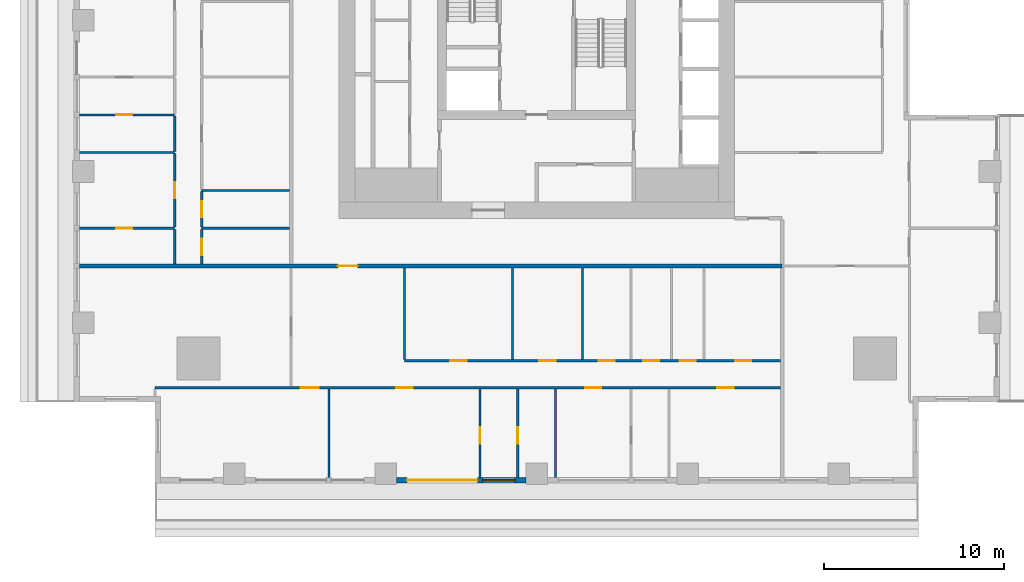
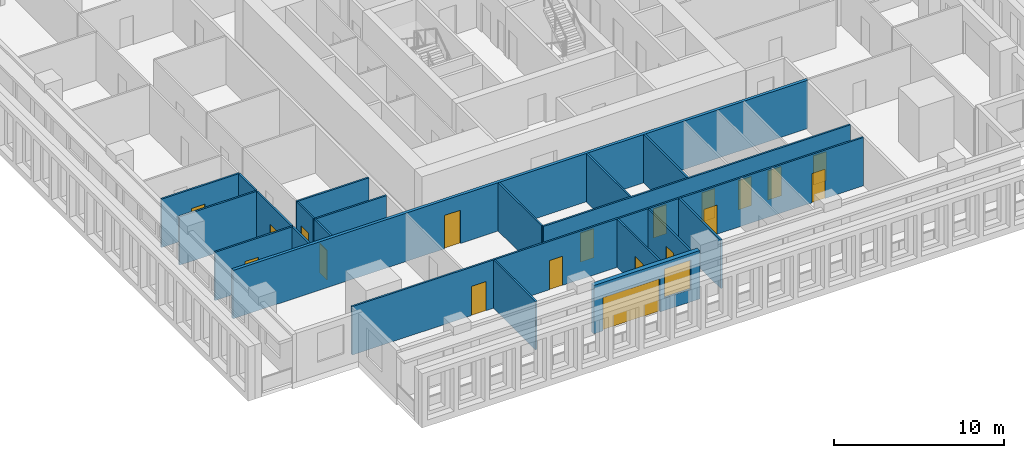
# One storey, part 2 of 15: 21 walls, 19 doors, 1 window, 20 openings.
"""IFC4 building model written with IfcOpenShell, lengths in metres."""

from ifc_helpers import new_model, si_unit, direction, frame, frame_2d, origin, place, context, subcontext, project, spatial, rectangle, extrude, material, layer, layer_set, type_object, element, fill, save


model = new_model("IFC4")

# Units and contexts
model_context = context("Model", 3, precision=1e-05, world=origin(), true_north=direction((0.0, 1.0)))
body_context = subcontext(model_context, "Body", "Model", "MODEL_VIEW")
ifc_project = project(units=[si_unit("LENGTHUNIT", "METRE"), si_unit("AREAUNIT", "SQUARE_METRE"), si_unit("VOLUMEUNIT", "CUBIC_METRE"), si_unit("PLANEANGLEUNIT", "RADIAN"), si_unit("MASSUNIT", "GRAM", prefix="KILO")], contexts=[model_context])

# Site, building, storey
site_placement = place(None, origin())
site = spatial("IfcSite", under=ifc_project, at=site_placement, CompositionType="ELEMENT")
building_placement = place(site_placement, origin())
building = spatial("IfcBuilding", under=site, at=building_placement, Name="Khepri Terraces", CompositionType="ELEMENT")
storey_placement = place(building_placement, frame((0.0, 0.0, 200.10009765625)))
storey = spatial("IfcBuildingStorey", under=building, at=storey_placement, Name="L47", CompositionType="ELEMENT", Elevation=200.10009765625)

# Wall, opening, door
ifc_material_1 = material(Name="Fire-rated gypsum plasterboard partition, mineral wool")
ifc_layer_1 = layer(ifc_material_1, 0.199951171875, Name="Fire-rated gypsum plasterboard partition, mineral wool")
ifc_layer_set_1 = layer_set([ifc_layer_1], Name="Fire-rated gypsum plasterboard partition, mineral wool")
wall_type_1 = type_object("IfcWallType", Name="WL-CORR-200", PredefinedType="PARTITIONING", material=ifc_layer_set_1)
wall_1_placement = place(storey_placement, frame((-25.419921875, -13.64990234375, 0.0), z_axis=(0.0, 0.0, 1.0), x_axis=(1.0, 0.0, 0.0)))
wall_1 = element("IfcWall", 1, at=wall_1_placement, inside=storey, type_object=wall_type_1, Name="Partition P-020 L47", PredefinedType="PARTITIONING", context=body_context, shape_type="SweptSolid", body=[
    extrude(rectangle(XDim=39.06982421875, YDim=0.199951171875, at=frame_2d((19.534912109375, 0.0))), origin(), (0.0, 0.0, 1.0), 3.47998046875),
])
opening_1_placement = place(wall_1_placement, frame((14.3701171875, 0.0, 0.0)))
opening_1 = element("IfcOpeningElement", 2, at=opening_1_placement, cuts=wall_1, Name="Opening D1", PredefinedType="OPENING", context=body_context, shape_type="SweptSolid", body=[
    extrude(rectangle(XDim=1.10009765625, YDim=2.39990234375, at=frame_2d((0.550048828125, 1.199951171875))), frame((0.0, 0.10986328125, 0.0), z_axis=(0.0, -1.0, 0.0), x_axis=(1.0, 0.0, 0.0)), (0.0, 0.0, 1.0), 0.219970703125),
])
ifc_material_2 = material(Name="Solid-core timber door leaf, flat entrance door", Category="wood")
door_type_1 = type_object("IfcDoorType", Name="DR-ENT-1100", OperationType="NOTDEFINED", PredefinedType="DOOR", material=ifc_material_2)
door_1_placement = place(opening_1_placement, frame((1.10009765625, 0.0, 0.0), z_axis=(0.0, 0.0, 1.0), x_axis=(-1.0, 0.0, 0.0)))
door_1 = element("IfcDoor", 3, at=door_1_placement, inside=storey, type_object=door_type_1, Name="Flat A1 entrance door", OperationType="SINGLE_SWING_RIGHT", OverallHeight=2.39990234375, OverallWidth=1.10009765625, PredefinedType="DOOR", context=body_context, shape_type="SweptSolid", body=[
    extrude(rectangle(XDim=1.10009765625, YDim=2.39990234375, at=frame_2d((0.550048828125, 1.199951171875))), frame((0.0, 0.02490234375, 0.0), z_axis=(0.0, -1.0, 0.0), x_axis=(1.0, 0.0, 0.0)), (0.0, 0.0, 1.0), 0.050048828125),
])
fill(opening_1, door_1)

# Wall, openings, door, window
ifc_material_3 = material(Name="Precast concrete C50/60 warm stone", Category="masonry")
ifc_layer_2 = layer(ifc_material_3, 0.300048828125, Name="Precast concrete C50/60 warm stone", Category="masonry")
ifc_layer_set_2 = layer_set([ifc_layer_2], Name="Precast concrete C50/60 warm stone")
wall_type_2 = type_object("IfcWallType", Name="WL-EXT-PRECAST-300", PredefinedType="STANDARD", material=ifc_layer_set_2)
wall_2_placement = place(storey_placement, frame((-7.800048828125, -25.570068359375, 0.0), z_axis=(0.0, 0.0, 1.0), x_axis=(1.0, 0.0, 0.0)))
wall_2 = element("IfcWall", 4, at=wall_2_placement, inside=storey, type_object=wall_type_2, Name="External wall L47 S", PredefinedType="STANDARD", context=body_context, shape_type="SweptSolid", body=[
    extrude(rectangle(XDim=7.199951171875, YDim=0.300048828125, at=frame_2d((3.60009765625, 0.0))), origin(), (0.0, 0.0, 1.0), 3.47998046875),
])
opening_2_placement = place(wall_2_placement, frame((0.60009765625, 0.0, 0.0)))
opening_2 = element("IfcOpeningElement", 5, at=opening_2_placement, cuts=wall_2, Name="Opening ED-L47-18", PredefinedType="OPENING", context=body_context, shape_type="SweptSolid", body=[
    extrude(rectangle(XDim=3.89990234375, YDim=2.39990234375, at=frame_2d((1.949951171875, 1.199951171875))), frame((0.0, 0.16015625, 0.0), z_axis=(0.0, -1.0, 0.0), x_axis=(1.0, 0.0, 0.0)), (0.0, 0.0, 1.0), 0.320068359375),
])
opening_3_placement = place(wall_2_placement, frame((4.800048828125, 0.0, 0.89990234375)))
opening_3 = element("IfcOpeningElement", 6, at=opening_3_placement, cuts=wall_2, Name="Opening W1", PredefinedType="OPENING", context=body_context, shape_type="SweptSolid", body=[
    extrude(rectangle(XDim=1.800048828125, YDim=2.10009765625, at=frame_2d((0.89990234375, 1.050048828125))), frame((0.0, 0.16015625, 0.0), z_axis=(0.0, -1.0, 0.0), x_axis=(1.0, 0.0, 0.0)), (0.0, 0.0, 1.0), 0.320068359375),
])
ifc_material_4 = material(Name="Anodised aluminium bronze glazed door", Category="aluminium")
door_type_2 = type_object("IfcDoorType", Name="DR-BAL-SLIDE-3900x2400", OperationType="NOTDEFINED", PredefinedType="DOOR", material=ifc_material_4)
door_2_placement = place(opening_2_placement, origin())
door_2 = element("IfcDoor", 7, at=door_2_placement, inside=storey, type_object=door_type_2, Name="Balcony door L47 S", OperationType="SLIDING_TO_LEFT", OverallHeight=2.39990234375, OverallWidth=3.89990234375, PredefinedType="DOOR", context=body_context, shape_type="SweptSolid", body=[
    extrude(rectangle(XDim=3.89990234375, YDim=2.39990234375, at=frame_2d((1.949951171875, 1.199951171875))), frame((0.0, 0.02490234375, 0.0), z_axis=(0.0, -1.0, 0.0), x_axis=(1.0, 0.0, 0.0)), (0.0, 0.0, 1.0), 0.050048828125),
])
fill(opening_2, door_2)
ifc_material_5 = material(Name="Clear glass", Category="glass")
window_type = type_object("IfcWindowType", Name="WIN-RES-1800x2100", PartitioningType="SINGLE_PANEL", PredefinedType="WINDOW", material=ifc_material_5)
window_placement = place(opening_3_placement, origin())
window = element("IfcWindow", 8, at=window_placement, inside=storey, type_object=window_type, Name="Window L47 S", OverallHeight=2.10009765625, OverallWidth=1.800048828125, PartitioningType="SINGLE_PANEL", PredefinedType="WINDOW", context=body_context, shape_type="SweptSolid", body=[
    extrude(rectangle(XDim=1.800048828125, YDim=2.10009765625, at=frame_2d((0.89990234375, 1.050048828125))), frame((0.0, 0.030029296875, 0.0), z_axis=(0.0, -1.0, 0.0), x_axis=(1.0, 0.0, 0.0)), (0.0, 0.0, 1.0), 0.06005859375),
])
fill(opening_3, window)

# Wall
ifc_material_6 = material(Name="Gypsum plasterboard partition")
ifc_layer_3 = layer(ifc_material_6, 0.1201171875, Name="Gypsum plasterboard partition")
ifc_layer_set_3 = layer_set([ifc_layer_3], Name="Gypsum plasterboard partition")
wall_type_3 = type_object("IfcWallType", Name="WL-PART-120", PredefinedType="PARTITIONING", material=ifc_layer_set_3)
wall_3_placement = place(storey_placement, frame((-11.550048828125, -25.419921875, 0.0), z_axis=(0.0, 0.0, 1.0), x_axis=(0.0, 1.0, 0.0)))
element("IfcWall", 9, at=wall_3_placement, inside=storey, type_object=wall_type_3, Name="Partition P-001 L47", PredefinedType="PARTITIONING", context=body_context, shape_type="SweptSolid", body=[
    extrude(rectangle(XDim=4.93994140625, YDim=0.1201171875, at=frame_2d((2.469970703125, 0.0))), origin(), (0.0, 0.0, 1.0), 3.47998046875),
])

# Wall, opening, door
wall_4_placement = place(storey_placement, frame((-3.14990234375, -25.419921875, 0.0), z_axis=(0.0, 0.0, 1.0), x_axis=(0.0, 1.0, 0.0)))
wall_4 = element("IfcWall", 10, at=wall_4_placement, inside=storey, type_object=wall_type_3, Name="Partition P-002 L47", PredefinedType="PARTITIONING", context=body_context, shape_type="SweptSolid", body=[
    extrude(rectangle(XDim=4.93994140625, YDim=0.1201171875, at=frame_2d((2.469970703125, 0.0))), origin(), (0.0, 0.0, 1.0), 3.47998046875),
])
opening_4_placement = place(wall_4_placement, frame((1.89990234375, 0.0, 0.0)))
opening_4 = element("IfcOpeningElement", 11, at=opening_4_placement, cuts=wall_4, Name="Opening D3", PredefinedType="OPENING", context=body_context, shape_type="SweptSolid", body=[
    extrude(rectangle(XDim=0.89990234375, YDim=2.10009765625, at=frame_2d((0.449951171875, 1.050048828125))), frame((0.0, 0.070068359375, 0.0), z_axis=(0.0, -1.0, 0.0), x_axis=(1.0, 0.0, 0.0)), (0.0, 0.0, 1.0), 0.14013671875),
])
ifc_material_7 = material(Name="Timber door leaf", Category="wood")
door_type_3 = type_object("IfcDoorType", Name="DR-INT-900", OperationType="NOTDEFINED", PredefinedType="DOOR", material=ifc_material_7)
door_3_placement = place(opening_4_placement, frame((0.89990234375, 0.0, 0.0), z_axis=(0.0, 0.0, 1.0), x_axis=(-1.0, 0.0, 0.0)))
door_3 = element("IfcDoor", 12, at=door_3_placement, inside=storey, type_object=door_type_3, Name="Door Dressing Room", OperationType="SINGLE_SWING_RIGHT", OverallHeight=2.10009765625, OverallWidth=0.89990234375, PredefinedType="DOOR", context=body_context, shape_type="SweptSolid", body=[
    extrude(rectangle(XDim=0.89990234375, YDim=2.10009765625, at=frame_2d((0.449951171875, 1.050048828125))), frame((0.0, 0.02490234375, 0.0), z_axis=(0.0, -1.0, 0.0), x_axis=(1.0, 0.0, 0.0)), (0.0, 0.0, 1.0), 0.050048828125),
])
fill(opening_4, door_3)

wall_5_placement = place(storey_placement, frame((-1.050048828125, -25.419921875, 0.0), z_axis=(0.0, 0.0, 1.0), x_axis=(0.0, 1.0, 0.0)))
wall_5 = element("IfcWall", 13, at=wall_5_placement, inside=storey, type_object=wall_type_3, Name="Partition P-003 L47", PredefinedType="PARTITIONING", context=body_context, shape_type="SweptSolid", body=[
    extrude(rectangle(XDim=4.93994140625, YDim=0.1201171875, at=frame_2d((2.469970703125, 0.0))), origin(), (0.0, 0.0, 1.0), 3.47998046875),
])
opening_5_placement = place(wall_5_placement, frame((1.89990234375, 0.0, 0.0)))
opening_5 = element("IfcOpeningElement", 14, at=opening_5_placement, cuts=wall_5, Name="Opening D4", PredefinedType="OPENING", context=body_context, shape_type="SweptSolid", body=[
    extrude(rectangle(XDim=0.89990234375, YDim=2.10009765625, at=frame_2d((0.449951171875, 1.050048828125))), frame((0.0, 0.070068359375, 0.0), z_axis=(0.0, -1.0, 0.0), x_axis=(1.0, 0.0, 0.0)), (0.0, 0.0, 1.0), 0.14013671875),
])
ifc_material_8 = material(Name="Timber door leaf, moisture resistant", Category="wood")
door_type_4 = type_object("IfcDoorType", Name="DR-WET-900", OperationType="NOTDEFINED", PredefinedType="DOOR", material=ifc_material_8)
door_4_placement = place(opening_5_placement, frame((0.89990234375, 0.0, 0.0), z_axis=(0.0, 0.0, 1.0), x_axis=(-1.0, 0.0, 0.0)))
door_4 = element("IfcDoor", 15, at=door_4_placement, inside=storey, type_object=door_type_4, Name="Door Bathroom", OperationType="SINGLE_SWING_RIGHT", OverallHeight=2.10009765625, OverallWidth=0.89990234375, PredefinedType="DOOR", context=body_context, shape_type="SweptSolid", body=[
    extrude(rectangle(XDim=0.89990234375, YDim=2.10009765625, at=frame_2d((0.449951171875, 1.050048828125))), frame((0.0, 0.02490234375, 0.0), z_axis=(0.0, -1.0, 0.0), x_axis=(1.0, 0.0, 0.0)), (0.0, 0.0, 1.0), 0.050048828125),
])
fill(opening_5, door_4)

# Wall
wall_6_placement = place(storey_placement, frame((1.050048828125, -25.419921875, 0.0), z_axis=(0.0, 0.0, 1.0), x_axis=(0.0, 1.0, 0.0)))
element("IfcWall", 16, at=wall_6_placement, inside=storey, type_object=wall_type_3, Name="Partition P-004 L47", PredefinedType="PARTITIONING", context=body_context, shape_type="SweptSolid", body=[
    extrude(rectangle(XDim=4.93994140625, YDim=0.1201171875, at=frame_2d((2.469970703125, 0.0))), origin(), (0.0, 0.0, 1.0), 3.47998046875),
])

# Wall, openings, doors
wall_7_placement = place(storey_placement, frame((-21.218994140625, -20.419921875, 0.0), z_axis=(0.0, 0.0, 1.0), x_axis=(1.0, 0.0, 0.0)))
wall_7 = element("IfcWall", 17, at=wall_7_placement, inside=storey, type_object=wall_type_3, Name="Partition P-011 L47", PredefinedType="PARTITIONING", context=body_context, shape_type="SweptSolid", body=[
    extrude(rectangle(XDim=34.76904296875, YDim=0.1201171875, at=frame_2d((17.384521484375, 0.0))), origin(), (0.0, 0.0, 1.0), 3.47998046875),
])
opening_6_placement = place(wall_7_placement, frame((8.118896484375, 0.0, 0.0)))
opening_6 = element("IfcOpeningElement", 18, at=opening_6_placement, cuts=wall_7, Name="Opening D2", PredefinedType="OPENING", context=body_context, shape_type="SweptSolid", body=[
    extrude(rectangle(XDim=1.0, YDim=2.10009765625, at=frame_2d((0.5, 1.050048828125))), frame((0.0, 0.070068359375, 0.0), z_axis=(0.0, -1.0, 0.0), x_axis=(1.0, 0.0, 0.0)), (0.0, 0.0, 1.0), 0.14013671875),
])
opening_7_placement = place(wall_7_placement, frame((13.4189453125, 0.0, 0.0)))
opening_7 = element("IfcOpeningElement", 19, at=opening_7_placement, cuts=wall_7, Name="Opening D3", PredefinedType="OPENING", context=body_context, shape_type="SweptSolid", body=[
    extrude(rectangle(XDim=0.89990234375, YDim=2.10009765625, at=frame_2d((0.449951171875, 1.050048828125))), frame((0.0, 0.070068359375, 0.0), z_axis=(0.0, -1.0, 0.0), x_axis=(1.0, 0.0, 0.0)), (0.0, 0.0, 1.0), 0.14013671875),
])
opening_8_placement = place(wall_7_placement, frame((23.9189453125, 0.0, 0.0)))
opening_8 = element("IfcOpeningElement", 20, at=opening_8_placement, cuts=wall_7, Name="Opening D3", PredefinedType="OPENING", context=body_context, shape_type="SweptSolid", body=[
    extrude(rectangle(XDim=0.89990234375, YDim=2.10009765625, at=frame_2d((0.449951171875, 1.050048828125))), frame((0.0, 0.070068359375, 0.0), z_axis=(0.0, -1.0, 0.0), x_axis=(1.0, 0.0, 0.0)), (0.0, 0.0, 1.0), 0.14013671875),
])
opening_9_placement = place(wall_7_placement, frame((31.26904296875, 0.0, 0.0)))
opening_9 = element("IfcOpeningElement", 21, at=opening_9_placement, cuts=wall_7, Name="Opening D3", PredefinedType="OPENING", context=body_context, shape_type="SweptSolid", body=[
    extrude(rectangle(XDim=0.89990234375, YDim=2.10009765625, at=frame_2d((0.449951171875, 1.050048828125))), frame((0.0, 0.070068359375, 0.0), z_axis=(0.0, -1.0, 0.0), x_axis=(1.0, 0.0, 0.0)), (0.0, 0.0, 1.0), 0.14013671875),
])
ifc_material_9 = material(Name="Timber door leaf, living room door", Category="wood")
door_type_5 = type_object("IfcDoorType", Name="DR-INT-1000", OperationType="NOTDEFINED", PredefinedType="DOOR", material=ifc_material_9)
door_5_placement = place(opening_6_placement, frame((1.0, 0.0, 0.0), z_axis=(0.0, 0.0, 1.0), x_axis=(-1.0, 0.0, 0.0)))
door_5 = element("IfcDoor", 22, at=door_5_placement, inside=storey, type_object=door_type_5, Name="Door Living Room", OperationType="SINGLE_SWING_RIGHT", OverallHeight=2.10009765625, OverallWidth=1.0, PredefinedType="DOOR", context=body_context, shape_type="SweptSolid", body=[
    extrude(rectangle(XDim=1.0, YDim=2.10009765625, at=frame_2d((0.5, 1.050048828125))), frame((0.0, 0.02490234375, 0.0), z_axis=(0.0, -1.0, 0.0), x_axis=(1.0, 0.0, 0.0)), (0.0, 0.0, 1.0), 0.050048828125),
])
fill(opening_6, door_5)
door_6_placement = place(opening_7_placement, frame((0.89990234375, 0.0, 0.0), z_axis=(0.0, 0.0, 1.0), x_axis=(-1.0, 0.0, 0.0)))
door_6 = element("IfcDoor", 23, at=door_6_placement, inside=storey, type_object=door_type_3, Name="Door Master Bedroom", OperationType="SINGLE_SWING_RIGHT", OverallHeight=2.10009765625, OverallWidth=0.89990234375, PredefinedType="DOOR", context=body_context, shape_type="SweptSolid", body=[
    extrude(rectangle(XDim=0.89990234375, YDim=2.10009765625, at=frame_2d((0.449951171875, 1.050048828125))), frame((0.0, 0.02490234375, 0.0), z_axis=(0.0, -1.0, 0.0), x_axis=(1.0, 0.0, 0.0)), (0.0, 0.0, 1.0), 0.050048828125),
])
fill(opening_7, door_6)
door_7_placement = place(opening_8_placement, frame((0.89990234375, 0.0, 0.0), z_axis=(0.0, 0.0, 1.0), x_axis=(-1.0, 0.0, 0.0)))
door_7 = element("IfcDoor", 24, at=door_7_placement, inside=storey, type_object=door_type_3, Name="Door Bedroom", OperationType="SINGLE_SWING_LEFT", OverallHeight=2.10009765625, OverallWidth=0.89990234375, PredefinedType="DOOR", context=body_context, shape_type="SweptSolid", body=[
    extrude(rectangle(XDim=0.89990234375, YDim=2.10009765625, at=frame_2d((0.449951171875, 1.050048828125))), frame((0.0, 0.02490234375, 0.0), z_axis=(0.0, -1.0, 0.0), x_axis=(1.0, 0.0, 0.0)), (0.0, 0.0, 1.0), 0.050048828125),
])
fill(opening_8, door_7)
door_8_placement = place(opening_9_placement, frame((0.89990234375, 0.0, 0.0), z_axis=(0.0, 0.0, 1.0), x_axis=(-1.0, 0.0, 0.0)))
door_8 = element("IfcDoor", 25, at=door_8_placement, inside=storey, type_object=door_type_3, Name="Door Home Gym", OperationType="SINGLE_SWING_LEFT", OverallHeight=2.10009765625, OverallWidth=0.89990234375, PredefinedType="DOOR", context=body_context, shape_type="SweptSolid", body=[
    extrude(rectangle(XDim=0.89990234375, YDim=2.10009765625, at=frame_2d((0.449951171875, 1.050048828125))), frame((0.0, 0.02490234375, 0.0), z_axis=(0.0, -1.0, 0.0), x_axis=(1.0, 0.0, 0.0)), (0.0, 0.0, 1.0), 0.050048828125),
])
fill(opening_9, door_8)

wall_8_placement = place(storey_placement, frame((-7.35009765625, -18.919921875, 0.0), z_axis=(0.0, 0.0, 1.0), x_axis=(1.0, 0.0, 0.0)))
wall_8 = element("IfcWall", 26, at=wall_8_placement, inside=storey, type_object=wall_type_3, Name="Partition P-013 L47", PredefinedType="PARTITIONING", context=body_context, shape_type="SweptSolid", body=[
    extrude(rectangle(XDim=20.900146484375, YDim=0.1201171875, at=frame_2d((10.4501953125, 0.0))), origin(), (0.0, 0.0, 1.0), 3.47998046875),
])
opening_10_placement = place(wall_8_placement, frame((2.550048828125, 0.0, 0.0)))
opening_10 = element("IfcOpeningElement", 27, at=opening_10_placement, cuts=wall_8, Name="Opening D3", PredefinedType="OPENING", context=body_context, shape_type="SweptSolid", body=[
    extrude(rectangle(XDim=0.89990234375, YDim=2.10009765625, at=frame_2d((0.449951171875, 1.050048828125))), frame((0.0, 0.070068359375, 0.0), z_axis=(0.0, -1.0, 0.0), x_axis=(1.0, 0.0, 0.0)), (0.0, 0.0, 1.0), 0.14013671875),
])
opening_11_placement = place(wall_8_placement, frame((7.5, 0.0, 0.0)))
opening_11 = element("IfcOpeningElement", 28, at=opening_11_placement, cuts=wall_8, Name="Opening D3", PredefinedType="OPENING", context=body_context, shape_type="SweptSolid", body=[
    extrude(rectangle(XDim=0.89990234375, YDim=2.10009765625, at=frame_2d((0.449951171875, 1.050048828125))), frame((0.0, 0.070068359375, 0.0), z_axis=(0.0, -1.0, 0.0), x_axis=(1.0, 0.0, 0.0)), (0.0, 0.0, 1.0), 0.14013671875),
])
opening_12_placement = place(wall_8_placement, frame((10.800048828125, 0.0, 0.0)))
opening_12 = element("IfcOpeningElement", 29, at=opening_12_placement, cuts=wall_8, Name="Opening D3", PredefinedType="OPENING", context=body_context, shape_type="SweptSolid", body=[
    extrude(rectangle(XDim=0.89990234375, YDim=2.10009765625, at=frame_2d((0.449951171875, 1.050048828125))), frame((0.0, 0.070068359375, 0.0), z_axis=(0.0, -1.0, 0.0), x_axis=(1.0, 0.0, 0.0)), (0.0, 0.0, 1.0), 0.14013671875),
])
opening_13_placement = place(wall_8_placement, frame((13.27490234375, 0.0, 0.0)))
opening_13 = element("IfcOpeningElement", 30, at=opening_13_placement, cuts=wall_8, Name="Opening D4", PredefinedType="OPENING", context=body_context, shape_type="SweptSolid", body=[
    extrude(rectangle(XDim=0.89990234375, YDim=2.10009765625, at=frame_2d((0.449951171875, 1.050048828125))), frame((0.0, 0.070068359375, 0.0), z_axis=(0.0, -1.0, 0.0), x_axis=(1.0, 0.0, 0.0)), (0.0, 0.0, 1.0), 0.14013671875),
])
opening_14_placement = place(wall_8_placement, frame((15.300048828125, 0.0, 0.0)))
opening_14 = element("IfcOpeningElement", 31, at=opening_14_placement, cuts=wall_8, Name="Opening D4", PredefinedType="OPENING", context=body_context, shape_type="SweptSolid", body=[
    extrude(rectangle(XDim=0.89990234375, YDim=2.10009765625, at=frame_2d((0.449951171875, 1.050048828125))), frame((0.0, 0.070068359375, 0.0), z_axis=(0.0, -1.0, 0.0), x_axis=(1.0, 0.0, 0.0)), (0.0, 0.0, 1.0), 0.14013671875),
])
opening_15_placement = place(wall_8_placement, frame((18.375, 0.0, 0.0)))
opening_15 = element("IfcOpeningElement", 32, at=opening_15_placement, cuts=wall_8, Name="Opening D3", PredefinedType="OPENING", context=body_context, shape_type="SweptSolid", body=[
    extrude(rectangle(XDim=0.89990234375, YDim=2.10009765625, at=frame_2d((0.449951171875, 1.050048828125))), frame((0.0, 0.070068359375, 0.0), z_axis=(0.0, -1.0, 0.0), x_axis=(1.0, 0.0, 0.0)), (0.0, 0.0, 1.0), 0.14013671875),
])
door_9_placement = place(opening_10_placement, origin())
door_9 = element("IfcDoor", 33, at=door_9_placement, inside=storey, type_object=door_type_3, Name="Door Kitchen", OperationType="SINGLE_SWING_LEFT", OverallHeight=2.10009765625, OverallWidth=0.89990234375, PredefinedType="DOOR", context=body_context, shape_type="SweptSolid", body=[
    extrude(rectangle(XDim=0.89990234375, YDim=2.10009765625, at=frame_2d((0.449951171875, 1.050048828125))), frame((0.0, 0.02490234375, 0.0), z_axis=(0.0, -1.0, 0.0), x_axis=(1.0, 0.0, 0.0)), (0.0, 0.0, 1.0), 0.050048828125),
])
fill(opening_10, door_9)
door_10_placement = place(opening_11_placement, origin())
door_10 = element("IfcDoor", 34, at=door_10_placement, inside=storey, type_object=door_type_3, Name="Door Service Store", OperationType="SINGLE_SWING_LEFT", OverallHeight=2.10009765625, OverallWidth=0.89990234375, PredefinedType="DOOR", context=body_context, shape_type="SweptSolid", body=[
    extrude(rectangle(XDim=0.89990234375, YDim=2.10009765625, at=frame_2d((0.449951171875, 1.050048828125))), frame((0.0, 0.02490234375, 0.0), z_axis=(0.0, -1.0, 0.0), x_axis=(1.0, 0.0, 0.0)), (0.0, 0.0, 1.0), 0.050048828125),
])
fill(opening_11, door_10)
door_11_placement = place(opening_12_placement, origin())
door_11 = element("IfcDoor", 35, at=door_11_placement, inside=storey, type_object=door_type_3, Name="Door Utility Room", OperationType="SINGLE_SWING_RIGHT", OverallHeight=2.10009765625, OverallWidth=0.89990234375, PredefinedType="DOOR", context=body_context, shape_type="SweptSolid", body=[
    extrude(rectangle(XDim=0.89990234375, YDim=2.10009765625, at=frame_2d((0.449951171875, 1.050048828125))), frame((0.0, 0.02490234375, 0.0), z_axis=(0.0, -1.0, 0.0), x_axis=(1.0, 0.0, 0.0)), (0.0, 0.0, 1.0), 0.050048828125),
])
fill(opening_12, door_11)
door_12_placement = place(opening_15_placement, origin())
door_12 = element("IfcDoor", 36, at=door_12_placement, inside=storey, type_object=door_type_3, Name="Door Staff Bedroom", OperationType="SINGLE_SWING_RIGHT", OverallHeight=2.10009765625, OverallWidth=0.89990234375, PredefinedType="DOOR", context=body_context, shape_type="SweptSolid", body=[
    extrude(rectangle(XDim=0.89990234375, YDim=2.10009765625, at=frame_2d((0.449951171875, 1.050048828125))), frame((0.0, 0.02490234375, 0.0), z_axis=(0.0, -1.0, 0.0), x_axis=(1.0, 0.0, 0.0)), (0.0, 0.0, 1.0), 0.050048828125),
])
fill(opening_15, door_12)
door_13_placement = place(opening_13_placement, origin())
door_13 = element("IfcDoor", 37, at=door_13_placement, inside=storey, type_object=door_type_4, Name="Door Powder Room", OperationType="SINGLE_SWING_RIGHT", OverallHeight=2.10009765625, OverallWidth=0.89990234375, PredefinedType="DOOR", context=body_context, shape_type="SweptSolid", body=[
    extrude(rectangle(XDim=0.89990234375, YDim=2.10009765625, at=frame_2d((0.449951171875, 1.050048828125))), frame((0.0, 0.02490234375, 0.0), z_axis=(0.0, -1.0, 0.0), x_axis=(1.0, 0.0, 0.0)), (0.0, 0.0, 1.0), 0.050048828125),
])
fill(opening_13, door_13)
door_14_placement = place(opening_14_placement, origin())
door_14 = element("IfcDoor", 38, at=door_14_placement, inside=storey, type_object=door_type_4, Name="Door Guest Bathroom", OperationType="SINGLE_SWING_RIGHT", OverallHeight=2.10009765625, OverallWidth=0.89990234375, PredefinedType="DOOR", context=body_context, shape_type="SweptSolid", body=[
    extrude(rectangle(XDim=0.89990234375, YDim=2.10009765625, at=frame_2d((0.449951171875, 1.050048828125))), frame((0.0, 0.02490234375, 0.0), z_axis=(0.0, -1.0, 0.0), x_axis=(1.0, 0.0, 0.0)), (0.0, 0.0, 1.0), 0.050048828125),
])
fill(opening_14, door_14)

# Walls
for number, where, z_axis, x_axis, name in (
    (39, (-7.35009765625, -18.860107421875, 0.0), (0.0, 0.0, 1.0), (0.0, 1.0, 0.0), "Partition P-014 L47"),
    (40, (-1.35009765625, -18.860107421875, 0.0), (0.0, 0.0, 1.0), (0.0, 1.0, 0.0), "Partition P-015 L47"),
    (41, (2.550048828125, -18.860107421875, 0.0), (0.0, 0.0, 1.0), (0.0, 1.0, 0.0), "Partition P-016 L47"),
):
    element("IfcWall", number, at=place(storey_placement, frame(where, z_axis=z_axis, x_axis=x_axis)), inside=storey, type_object=wall_type_3, Name=name, PredefinedType="PARTITIONING", context=body_context, shape_type="SweptSolid", body=[
        extrude(rectangle(XDim=5.110107421875, YDim=0.1201171875, at=frame_2d((2.55517578125, 0.0))), origin(), (0.0, 0.0, 1.0), 3.47998046875),
    ])
wall_9_placement = place(storey_placement, frame((-20.1201171875, -13.550048828125, 0.0), z_axis=(0.0, 0.0, 1.0), x_axis=(0.0, 1.0, 0.0)))
element("IfcWall", 42, at=wall_9_placement, inside=storey, type_object=wall_type_3, Name="Partition P-023 L47", PredefinedType="PARTITIONING", context=body_context, shape_type="SweptSolid", body=[
    extrude(rectangle(XDim=1.93994140625, YDim=0.1201171875, at=frame_2d((0.969970703125, 0.0))), origin(), (0.0, 0.0, 1.0), 3.47998046875),
])

# Wall, opening, door
wall_10_placement = place(storey_placement, frame((-18.6201171875, -13.550048828125, 0.0), z_axis=(0.0, 0.0, 1.0), x_axis=(0.0, 1.0, 0.0)))
wall_10 = element("IfcWall", 43, at=wall_10_placement, inside=storey, type_object=wall_type_3, Name="Partition P-024 L47", PredefinedType="PARTITIONING", context=body_context, shape_type="SweptSolid", body=[
    extrude(rectangle(XDim=1.93994140625, YDim=0.1201171875, at=frame_2d((0.969970703125, 0.0))), origin(), (0.0, 0.0, 1.0), 3.47998046875),
])
opening_16_placement = place(wall_10_placement, frame((0.5, 0.0, 0.0)))
opening_16 = element("IfcOpeningElement", 44, at=opening_16_placement, cuts=wall_10, Name="Opening D4", PredefinedType="OPENING", context=body_context, shape_type="SweptSolid", body=[
    extrude(rectangle(XDim=0.89990234375, YDim=2.10009765625, at=frame_2d((0.449951171875, 1.050048828125))), frame((0.0, 0.070068359375, 0.0), z_axis=(0.0, -1.0, 0.0), x_axis=(1.0, 0.0, 0.0)), (0.0, 0.0, 1.0), 0.14013671875),
])
door_15_placement = place(opening_16_placement, frame((0.89990234375, 0.0, 0.0), z_axis=(0.0, 0.0, 1.0), x_axis=(-1.0, 0.0, 0.0)))
door_15 = element("IfcDoor", 45, at=door_15_placement, inside=storey, type_object=door_type_4, Name="Door Guest Bathroom", OperationType="SINGLE_SWING_RIGHT", OverallHeight=2.10009765625, OverallWidth=0.89990234375, PredefinedType="DOOR", context=body_context, shape_type="SweptSolid", body=[
    extrude(rectangle(XDim=0.89990234375, YDim=2.10009765625, at=frame_2d((0.449951171875, 1.050048828125))), frame((0.0, 0.02490234375, 0.0), z_axis=(0.0, -1.0, 0.0), x_axis=(1.0, 0.0, 0.0)), (0.0, 0.0, 1.0), 0.050048828125),
])
fill(opening_16, door_15)

wall_11_placement = place(storey_placement, frame((-25.419921875, -11.550048828125, 0.0), z_axis=(0.0, 0.0, 1.0), x_axis=(1.0, 0.0, 0.0)))
wall_11 = element("IfcWall", 46, at=wall_11_placement, inside=storey, type_object=wall_type_3, Name="Partition P-027 L47", PredefinedType="PARTITIONING", context=body_context, shape_type="SweptSolid", body=[
    extrude(rectangle(XDim=5.2998046875, YDim=0.1201171875, at=frame_2d((2.64990234375, 0.0))), origin(), (0.0, 0.0, 1.0), 3.47998046875),
])
opening_17_placement = place(wall_11_placement, frame((2.050048828125, 0.0, 0.0)))
opening_17 = element("IfcOpeningElement", 47, at=opening_17_placement, cuts=wall_11, Name="Opening D4", PredefinedType="OPENING", context=body_context, shape_type="SweptSolid", body=[
    extrude(rectangle(XDim=0.89990234375, YDim=2.10009765625, at=frame_2d((0.449951171875, 1.050048828125))), frame((0.0, 0.070068359375, 0.0), z_axis=(0.0, -1.0, 0.0), x_axis=(1.0, 0.0, 0.0)), (0.0, 0.0, 1.0), 0.14013671875),
])
door_16_placement = place(opening_17_placement, frame((0.89990234375, 0.0, 0.0), z_axis=(0.0, 0.0, 1.0), x_axis=(-1.0, 0.0, 0.0)))
door_16 = element("IfcDoor", 48, at=door_16_placement, inside=storey, type_object=door_type_4, Name="Door Bathroom", OperationType="SINGLE_SWING_RIGHT", OverallHeight=2.10009765625, OverallWidth=0.89990234375, PredefinedType="DOOR", context=body_context, shape_type="SweptSolid", body=[
    extrude(rectangle(XDim=0.89990234375, YDim=2.10009765625, at=frame_2d((0.449951171875, 1.050048828125))), frame((0.0, 0.02490234375, 0.0), z_axis=(0.0, -1.0, 0.0), x_axis=(1.0, 0.0, 0.0)), (0.0, 0.0, 1.0), 0.050048828125),
])
fill(opening_17, door_16)

# Wall
wall_12_placement = place(storey_placement, frame((-18.6201171875, -11.550048828125, 0.0), z_axis=(0.0, 0.0, 1.0), x_axis=(1.0, 0.0, 0.0)))
element("IfcWall", 49, at=wall_12_placement, inside=storey, type_object=wall_type_3, Name="Partition P-028 L47", PredefinedType="PARTITIONING", context=body_context, shape_type="SweptSolid", body=[
    extrude(rectangle(XDim=4.8701171875, YDim=0.1201171875, at=frame_2d((2.43505859375, 0.0))), origin(), (0.0, 0.0, 1.0), 3.47998046875),
])

# Wall, opening, door
wall_13_placement = place(storey_placement, frame((-20.1201171875, -11.489990234375, 0.0), z_axis=(0.0, 0.0, 1.0), x_axis=(0.0, 1.0, 0.0)))
wall_13 = element("IfcWall", 50, at=wall_13_placement, inside=storey, type_object=wall_type_3, Name="Partition P-030 L47", PredefinedType="PARTITIONING", context=body_context, shape_type="SweptSolid", body=[
    extrude(rectangle(XDim=4.080078125, YDim=0.1201171875, at=frame_2d((2.0400390625, 0.0))), origin(), (0.0, 0.0, 1.0), 3.47998046875),
])
opening_18_placement = place(wall_13_placement, frame((1.590087890625, 0.0, 0.0)))
opening_18 = element("IfcOpeningElement", 51, at=opening_18_placement, cuts=wall_13, Name="Opening D3", PredefinedType="OPENING", context=body_context, shape_type="SweptSolid", body=[
    extrude(rectangle(XDim=0.89990234375, YDim=2.10009765625, at=frame_2d((0.449951171875, 1.050048828125))), frame((0.0, 0.070068359375, 0.0), z_axis=(0.0, -1.0, 0.0), x_axis=(1.0, 0.0, 0.0)), (0.0, 0.0, 1.0), 0.14013671875),
])
door_17_placement = place(opening_18_placement, origin())
door_17 = element("IfcDoor", 52, at=door_17_placement, inside=storey, type_object=door_type_3, Name="Door Bedroom", OperationType="SINGLE_SWING_RIGHT", OverallHeight=2.10009765625, OverallWidth=0.89990234375, PredefinedType="DOOR", context=body_context, shape_type="SweptSolid", body=[
    extrude(rectangle(XDim=0.89990234375, YDim=2.10009765625, at=frame_2d((0.449951171875, 1.050048828125))), frame((0.0, 0.02490234375, 0.0), z_axis=(0.0, -1.0, 0.0), x_axis=(1.0, 0.0, 0.0)), (0.0, 0.0, 1.0), 0.050048828125),
])
fill(opening_18, door_17)

wall_14_placement = place(storey_placement, frame((-18.6201171875, -11.489990234375, 0.0), z_axis=(0.0, 0.0, 1.0), x_axis=(0.0, 1.0, 0.0)))
wall_14 = element("IfcWall", 53, at=wall_14_placement, inside=storey, type_object=wall_type_3, Name="Partition P-031 L47", PredefinedType="PARTITIONING", context=body_context, shape_type="SweptSolid", body=[
    extrude(rectangle(XDim=1.97998046875, YDim=0.1201171875, at=frame_2d((0.989990234375, 0.0))), origin(), (0.0, 0.0, 1.0), 3.47998046875),
])
opening_19_placement = place(wall_14_placement, frame((0.5400390625, 0.0, 0.0)))
opening_19 = element("IfcOpeningElement", 54, at=opening_19_placement, cuts=wall_14, Name="Opening D4", PredefinedType="OPENING", context=body_context, shape_type="SweptSolid", body=[
    extrude(rectangle(XDim=0.89990234375, YDim=2.10009765625, at=frame_2d((0.449951171875, 1.050048828125))), frame((0.0, 0.070068359375, 0.0), z_axis=(0.0, -1.0, 0.0), x_axis=(1.0, 0.0, 0.0)), (0.0, 0.0, 1.0), 0.14013671875),
])
door_18_placement = place(opening_19_placement, frame((0.89990234375, 0.0, 0.0), z_axis=(0.0, 0.0, 1.0), x_axis=(-1.0, 0.0, 0.0)))
door_18 = element("IfcDoor", 55, at=door_18_placement, inside=storey, type_object=door_type_4, Name="Door Powder Room", OperationType="SINGLE_SWING_LEFT", OverallHeight=2.10009765625, OverallWidth=0.89990234375, PredefinedType="DOOR", context=body_context, shape_type="SweptSolid", body=[
    extrude(rectangle(XDim=0.89990234375, YDim=2.10009765625, at=frame_2d((0.449951171875, 1.050048828125))), frame((0.0, 0.02490234375, 0.0), z_axis=(0.0, -1.0, 0.0), x_axis=(1.0, 0.0, 0.0)), (0.0, 0.0, 1.0), 0.050048828125),
])
fill(opening_19, door_18)

# Walls
wall_15_placement = place(storey_placement, frame((-18.6201171875, -9.449951171875, 0.0), z_axis=(0.0, 0.0, 1.0), x_axis=(1.0, 0.0, 0.0)))
element("IfcWall", 56, at=wall_15_placement, inside=storey, type_object=wall_type_3, Name="Partition P-034 L47", PredefinedType="PARTITIONING", context=body_context, shape_type="SweptSolid", body=[
    extrude(rectangle(XDim=4.8701171875, YDim=0.1201171875, at=frame_2d((2.43505859375, 0.0))), origin(), (0.0, 0.0, 1.0), 3.47998046875),
])
wall_16_placement = place(storey_placement, frame((-25.419921875, -7.35009765625, 0.0), z_axis=(0.0, 0.0, 1.0), x_axis=(1.0, 0.0, 0.0)))
element("IfcWall", 57, at=wall_16_placement, inside=storey, type_object=wall_type_3, Name="Partition P-036 L47", PredefinedType="PARTITIONING", context=body_context, shape_type="SweptSolid", body=[
    extrude(rectangle(XDim=5.2998046875, YDim=0.1201171875, at=frame_2d((2.64990234375, 0.0))), origin(), (0.0, 0.0, 1.0), 3.47998046875),
])
wall_17_placement = place(storey_placement, frame((-20.1201171875, -7.2900390625, 0.0), z_axis=(0.0, 0.0, 1.0), x_axis=(0.0, 1.0, 0.0)))
element("IfcWall", 58, at=wall_17_placement, inside=storey, type_object=wall_type_3, Name="Partition P-038 L47", PredefinedType="PARTITIONING", context=body_context, shape_type="SweptSolid", body=[
    extrude(rectangle(XDim=1.97998046875, YDim=0.1201171875, at=frame_2d((0.989990234375, 0.0))), origin(), (0.0, 0.0, 1.0), 3.47998046875),
])

# Wall, opening, door
wall_18_placement = place(storey_placement, frame((-25.419921875, -5.25, 0.0), z_axis=(0.0, 0.0, 1.0), x_axis=(1.0, 0.0, 0.0)))
wall_18 = element("IfcWall", 59, at=wall_18_placement, inside=storey, type_object=wall_type_3, Name="Partition P-040 L47", PredefinedType="PARTITIONING", context=body_context, shape_type="SweptSolid", body=[
    extrude(rectangle(XDim=5.2998046875, YDim=0.1201171875, at=frame_2d((2.64990234375, 0.0))), origin(), (0.0, 0.0, 1.0), 3.47998046875),
])
opening_20_placement = place(wall_18_placement, frame((2.050048828125, 0.0, 0.0)))
opening_20 = element("IfcOpeningElement", 60, at=opening_20_placement, cuts=wall_18, Name="Opening D4", PredefinedType="OPENING", context=body_context, shape_type="SweptSolid", body=[
    extrude(rectangle(XDim=0.89990234375, YDim=2.10009765625, at=frame_2d((0.449951171875, 1.050048828125))), frame((0.0, 0.070068359375, 0.0), z_axis=(0.0, -1.0, 0.0), x_axis=(1.0, 0.0, 0.0)), (0.0, 0.0, 1.0), 0.14013671875),
])
door_19_placement = place(opening_20_placement, frame((0.89990234375, 0.0, 0.0), z_axis=(0.0, 0.0, 1.0), x_axis=(-1.0, 0.0, 0.0)))
door_19 = element("IfcDoor", 61, at=door_19_placement, inside=storey, type_object=door_type_4, Name="Door Bathroom", OperationType="SINGLE_SWING_RIGHT", OverallHeight=2.10009765625, OverallWidth=0.89990234375, PredefinedType="DOOR", context=body_context, shape_type="SweptSolid", body=[
    extrude(rectangle(XDim=0.89990234375, YDim=2.10009765625, at=frame_2d((0.449951171875, 1.050048828125))), frame((0.0, 0.02490234375, 0.0), z_axis=(0.0, -1.0, 0.0), x_axis=(1.0, 0.0, 0.0)), (0.0, 0.0, 1.0), 0.050048828125),
])
fill(opening_20, door_19)

save(model, "model.ifc")
